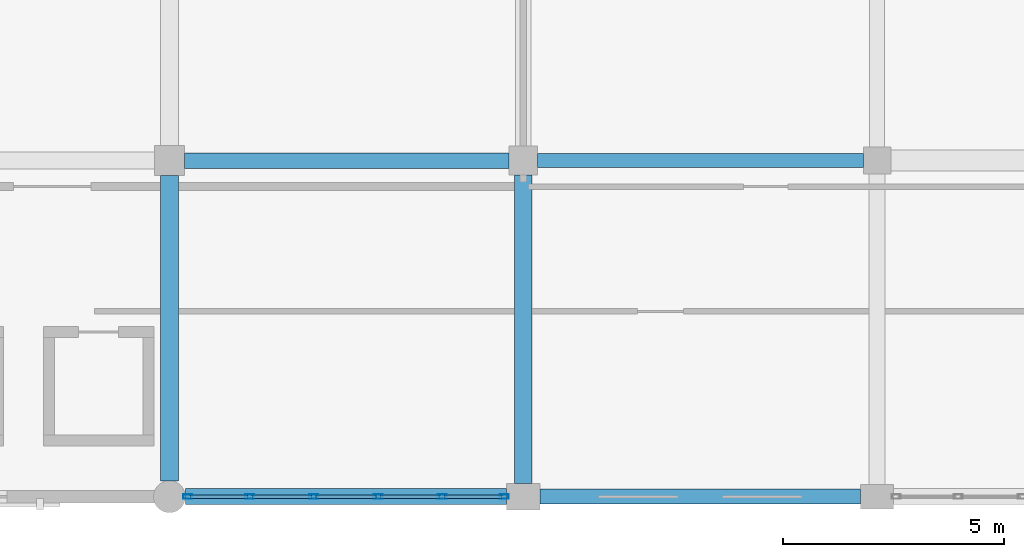
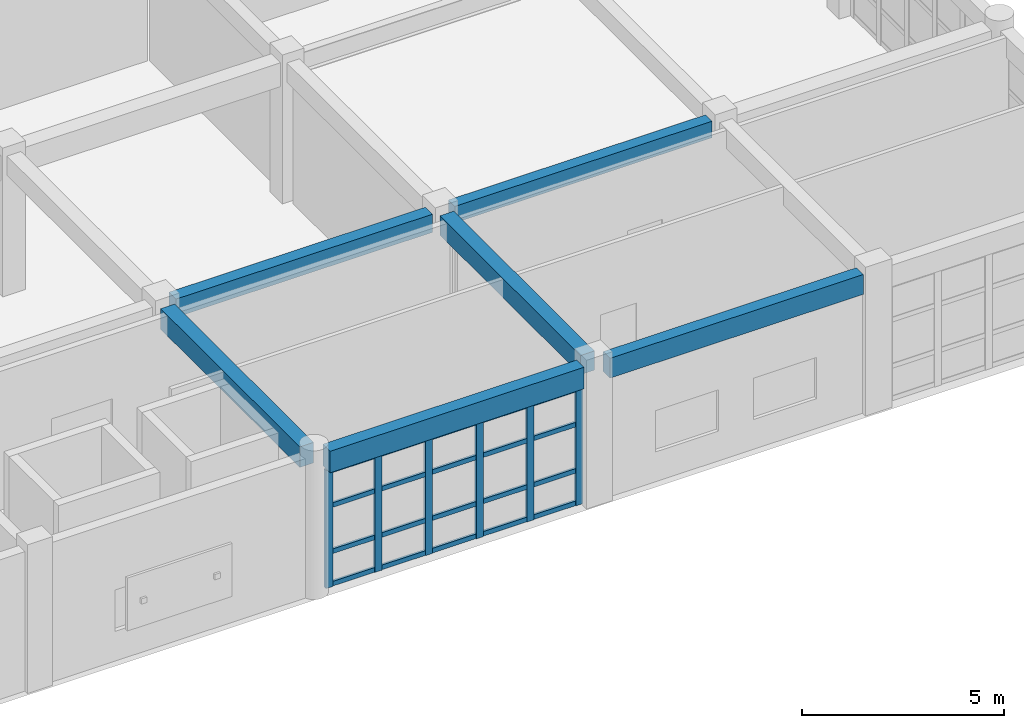
# One storey, part 83 of 160: 26 members, 6 beams, 1 element without a shape of its own.
"""IFC4 building model written with IfcOpenShell, lengths in metres."""

from ifc_helpers import new_model, si_unit, direction, frame, origin, origin_2d, place, context, subcontext, project, spatial, rectangle, hollow_rectangle, extrude, material, material_profile, profile_set, type_object, element, aggregate, save


model = new_model("IFC4")

# Units and contexts
model_context = context("Model", 3, precision=1e-05, world=origin(), true_north=direction((0.0, 1.0)))
body_context = subcontext(model_context, "Body", "Model", "MODEL_VIEW")
ifc_project = project(units=[si_unit("LENGTHUNIT", "METRE"), si_unit("AREAUNIT", "SQUARE_METRE"), si_unit("VOLUMEUNIT", "CUBIC_METRE"), si_unit("PLANEANGLEUNIT", "RADIAN"), si_unit("MASSUNIT", "GRAM", prefix="KILO")], contexts=[model_context])

# Site, building, storey
site_placement = place(None, origin())
site = spatial("IfcSite", under=ifc_project, at=site_placement, CompositionType="ELEMENT")
building_placement = place(site_placement, origin())
building = spatial("IfcBuilding", under=site, at=building_placement, Name="Kharva Crest Polytechnic", CompositionType="ELEMENT")
storey_placement = place(building_placement, frame((0.0, 0.0, 4.5)))
storey = spatial("IfcBuildingStorey", under=building, at=storey_placement, Name="L01", CompositionType="ELEMENT", Elevation=4.5)

# Beams
ifc_material_1 = material(Name="Concrete C35/45", Category="concrete")
ifc_material_profile_1 = material_profile(ifc_material_1, rectangle(XDim=0.320068359375, YDim=0.5, at=origin_2d()), Name="RECT 320 X 500")
ifc_profile_set_1 = profile_set([ifc_material_profile_1], Name="Concrete C35/45")
beam_type_1 = type_object("IfcBeamType", Name="BM-RC-320X500", PredefinedType="BEAM", material=ifc_profile_set_1)
beam_1_placement = place(storey_placement, frame((153.125, 7.60009765625, 3.969970703125), z_axis=(1.0, 0.0, 0.0), x_axis=(0.0, 1.0, 0.0)))
element("IfcBeam", 1, at=beam_1_placement, inside=storey, type_object=beam_type_1, Name="L01 Beam B/20-21", PredefinedType="BEAM", context=body_context, shape_type="SweptSolid", body=[
    extrude(rectangle(XDim=0.320068359375, YDim=0.5, at=origin_2d()), origin(), (0.0, 0.0, 1.0), 7.364990234375),
])
ifc_material_profile_2 = material_profile(ifc_material_1, rectangle(XDim=0.35009765625, YDim=0.550048828125, at=origin_2d()), Name="RECT 350 X 550")
ifc_profile_set_2 = profile_set([ifc_material_profile_2], Name="Concrete C35/45")
beam_type_2 = type_object("IfcBeamType", Name="BM-RC-350X550", PredefinedType="BEAM", material=ifc_profile_set_2)
beam_2_placement = place(storey_placement, frame((145.139892578125, 7.60009765625, 3.945068359375), z_axis=(1.0, 0.0, 0.0), x_axis=(0.0, 1.0, 0.0)))
element("IfcBeam", 2, at=beam_2_placement, inside=storey, type_object=beam_type_2, Name="L01 Beam B/19-20", PredefinedType="BEAM", context=body_context, shape_type="SweptSolid", body=[
    extrude(rectangle(XDim=0.35009765625, YDim=0.550048828125, at=origin_2d()), origin(), (0.0, 0.0, 1.0), 7.335205078125),
])
ifc_material_profile_3 = material_profile(ifc_material_1, rectangle(XDim=0.39990234375, YDim=0.580078125, at=origin_2d()), Name="RECT 400 X 580")
ifc_profile_set_3 = profile_set([ifc_material_profile_3], Name="Concrete C35/45")
beam_type_3 = type_object("IfcBeamType", Name="BM-RC-400X580", PredefinedType="BEAM", material=ifc_profile_set_3)
beam_3_placement = place(storey_placement, frame((152.800048828125, 0.300048828125, 3.929931640625), z_axis=(0.0, 1.0, 0.0), x_axis=(-1.0, 0.0, 0.0)))
element("IfcBeam", 3, at=beam_3_placement, inside=storey, type_object=beam_type_3, Name="L01 Girder 20/A-B", PredefinedType="BEAM", context=body_context, shape_type="SweptSolid", body=[
    extrude(rectangle(XDim=0.39990234375, YDim=0.580078125, at=origin_2d()), origin(), (0.0, 0.0, 1.0), 6.974853515625),
])
ifc_material_profile_4 = material_profile(ifc_material_1, rectangle(XDim=0.39990234375, YDim=0.6201171875, at=origin_2d()), Name="RECT 400 X 620")
ifc_profile_set_4 = profile_set([ifc_material_profile_4], Name="Concrete C35/45")
beam_type_4 = type_object("IfcBeamType", Name="BM-RC-400X620", PredefinedType="BEAM", material=ifc_profile_set_4)
beam_4_placement = place(storey_placement, frame((144.800048828125, 0.360107421875, 3.909912109375), z_axis=(0.0, 1.0, 0.0), x_axis=(-1.0, 0.0, 0.0)))
element("IfcBeam", 4, at=beam_4_placement, inside=storey, type_object=beam_type_4, Name="L01 Girder 19/A-B", PredefinedType="BEAM", context=body_context, shape_type="SweptSolid", body=[
    extrude(rectangle(XDim=0.39990234375, YDim=0.6201171875, at=origin_2d()), origin(), (0.0, 0.0, 1.0), 6.89990234375),
])

# Curtain wall, members
ifc_material_2 = material(Name="Tempered insulated glass", Category="glass")
curtain_wall_type = type_object("IfcCurtainWallType", Name="CW-SYS-REFECTORY", PredefinedType="USERDEFINED", material=ifc_material_2)
curtain_wall_placement = place(storey_placement, origin())
curtain_wall = element("IfcCurtainWall", 5, at=curtain_wall_placement, inside=storey, type_object=curtain_wall_type, Name="L01 Glazed Curtain Wall CW-045", ObjectType="CURTAIN WALL", PredefinedType="USERDEFINED")
ifc_material_3 = material(Name="Steel S355", Category="steel")
ifc_material_profile_5 = material_profile(ifc_material_3, hollow_rectangle(XDim=0.10009765625, YDim=0.199951171875, WallThickness=0.00634765625, at=origin_2d()), Name="RHS 200X100X6.3")
ifc_profile_set_5 = profile_set([ifc_material_profile_5], Name="Steel S355")
member_type_1 = type_object("IfcMemberType", Name="CWM-RHS200X100", PredefinedType="MULLION", material=ifc_profile_set_5)
member_1_placement = place(storey_placement, frame((145.215087890625, 0.0, 0.0), z_axis=(0.0, 0.0, 1.0), x_axis=(0.0, 1.0, 0.0)))
member_1 = element("IfcMember", 6, at=member_1_placement, type_object=member_type_1, Name="CW-045 mullion 1", PredefinedType="MULLION", context=body_context, shape_type="SweptSolid", body=[
    extrude(hollow_rectangle(XDim=0.10009765625, YDim=0.199951171875, WallThickness=0.00634765625, at=origin_2d()), origin(), (0.0, 0.0, 1.0), 3.570068359375),
])
member_2_placement = place(storey_placement, frame((146.615966796875, 0.0, 0.0), z_axis=(0.0, 0.0, 1.0), x_axis=(0.0, 1.0, 0.0)))
member_2 = element("IfcMember", 7, at=member_2_placement, type_object=member_type_1, Name="CW-045 mullion 2", PredefinedType="MULLION", context=body_context, shape_type="SweptSolid", body=[
    extrude(hollow_rectangle(XDim=0.10009765625, YDim=0.199951171875, WallThickness=0.00634765625, at=origin_2d()), origin(), (0.0, 0.0, 1.0), 3.570068359375),
])
member_3_placement = place(storey_placement, frame((148.06689453125, 0.0, 0.0), z_axis=(0.0, 0.0, 1.0), x_axis=(0.0, 1.0, 0.0)))
member_3 = element("IfcMember", 8, at=member_3_placement, type_object=member_type_1, Name="CW-045 mullion 3", PredefinedType="MULLION", context=body_context, shape_type="SweptSolid", body=[
    extrude(hollow_rectangle(XDim=0.10009765625, YDim=0.199951171875, WallThickness=0.00634765625, at=origin_2d()), origin(), (0.0, 0.0, 1.0), 3.570068359375),
])
member_4_placement = place(storey_placement, frame((149.51806640625, 0.0, 0.0), z_axis=(0.0, 0.0, 1.0), x_axis=(0.0, 1.0, 0.0)))
member_4 = element("IfcMember", 9, at=member_4_placement, type_object=member_type_1, Name="CW-045 mullion 4", PredefinedType="MULLION", context=body_context, shape_type="SweptSolid", body=[
    extrude(hollow_rectangle(XDim=0.10009765625, YDim=0.199951171875, WallThickness=0.00634765625, at=origin_2d()), origin(), (0.0, 0.0, 1.0), 3.570068359375),
])
member_5_placement = place(storey_placement, frame((150.968994140625, 0.0, 0.0), z_axis=(0.0, 0.0, 1.0), x_axis=(0.0, 1.0, 0.0)))
member_5 = element("IfcMember", 10, at=member_5_placement, type_object=member_type_1, Name="CW-045 mullion 5", PredefinedType="MULLION", context=body_context, shape_type="SweptSolid", body=[
    extrude(hollow_rectangle(XDim=0.10009765625, YDim=0.199951171875, WallThickness=0.00634765625, at=origin_2d()), origin(), (0.0, 0.0, 1.0), 3.570068359375),
])
member_6_placement = place(storey_placement, frame((152.3701171875, 0.0, 0.0), z_axis=(0.0, 0.0, 1.0), x_axis=(0.0, 1.0, 0.0)))
member_6 = element("IfcMember", 11, at=member_6_placement, type_object=member_type_1, Name="CW-045 mullion 6", PredefinedType="MULLION", context=body_context, shape_type="SweptSolid", body=[
    extrude(hollow_rectangle(XDim=0.10009765625, YDim=0.199951171875, WallThickness=0.00634765625, at=origin_2d()), origin(), (0.0, 0.0, 1.0), 3.570068359375),
])
ifc_material_profile_6 = material_profile(ifc_material_3, hollow_rectangle(XDim=0.070068359375, YDim=0.139892578125, WallThickness=0.00390625, at=origin_2d()), Name="RHS 140X70X4.0")
ifc_profile_set_6 = profile_set([ifc_material_profile_6], Name="Steel S355")
member_type_2 = type_object("IfcMemberType", Name="CWT-RHS140X70", PredefinedType="USERDEFINED", material=ifc_profile_set_6)
member_7_placement = place(storey_placement, frame((145.264892578125, 0.0, 0.070068359375), z_axis=(1.0, 0.0, 0.0), x_axis=(0.0, 1.0, 0.0)))
member_7 = element("IfcMember", 12, at=member_7_placement, type_object=member_type_2, Name="CW-045 transom 1.1", ObjectType="TRANSOM", PredefinedType="USERDEFINED", context=body_context, shape_type="SweptSolid", body=[
    extrude(hollow_rectangle(XDim=0.070068359375, YDim=0.139892578125, WallThickness=0.00390625, at=origin_2d()), origin(), (0.0, 0.0, 1.0), 1.301025390625),
])
member_8_placement = place(storey_placement, frame((145.264892578125, 0.0, 1.050048828125), z_axis=(1.0, 0.0, 0.0), x_axis=(0.0, 1.0, 0.0)))
member_8 = element("IfcMember", 13, at=member_8_placement, type_object=member_type_2, Name="CW-045 transom 1.2", ObjectType="TRANSOM", PredefinedType="USERDEFINED", context=body_context, shape_type="SweptSolid", body=[
    extrude(hollow_rectangle(XDim=0.070068359375, YDim=0.139892578125, WallThickness=0.00390625, at=origin_2d()), origin(), (0.0, 0.0, 1.0), 1.301025390625),
])
member_9_placement = place(storey_placement, frame((145.264892578125, 0.0, 2.449951171875), z_axis=(1.0, 0.0, 0.0), x_axis=(0.0, 1.0, 0.0)))
member_9 = element("IfcMember", 14, at=member_9_placement, type_object=member_type_2, Name="CW-045 transom 1.3", ObjectType="TRANSOM", PredefinedType="USERDEFINED", context=body_context, shape_type="SweptSolid", body=[
    extrude(hollow_rectangle(XDim=0.070068359375, YDim=0.139892578125, WallThickness=0.00390625, at=origin_2d()), origin(), (0.0, 0.0, 1.0), 1.301025390625),
])
member_10_placement = place(storey_placement, frame((145.264892578125, 0.0, 3.5), z_axis=(1.0, 0.0, 0.0), x_axis=(0.0, 1.0, 0.0)))
member_10 = element("IfcMember", 15, at=member_10_placement, type_object=member_type_2, Name="CW-045 transom 1.4", ObjectType="TRANSOM", PredefinedType="USERDEFINED", context=body_context, shape_type="SweptSolid", body=[
    extrude(hollow_rectangle(XDim=0.070068359375, YDim=0.139892578125, WallThickness=0.00390625, at=origin_2d()), origin(), (0.0, 0.0, 1.0), 1.301025390625),
])
member_11_placement = place(storey_placement, frame((146.666015625, 0.0, 0.070068359375), z_axis=(1.0, 0.0, 0.0), x_axis=(0.0, 1.0, 0.0)))
member_11 = element("IfcMember", 16, at=member_11_placement, type_object=member_type_2, Name="CW-045 transom 2.1", ObjectType="TRANSOM", PredefinedType="USERDEFINED", context=body_context, shape_type="SweptSolid", body=[
    extrude(hollow_rectangle(XDim=0.070068359375, YDim=0.139892578125, WallThickness=0.00390625, at=origin_2d()), origin(), (0.0, 0.0, 1.0), 1.35107421875),
])
member_12_placement = place(storey_placement, frame((146.666015625, 0.0, 1.050048828125), z_axis=(1.0, 0.0, 0.0), x_axis=(0.0, 1.0, 0.0)))
member_12 = element("IfcMember", 17, at=member_12_placement, type_object=member_type_2, Name="CW-045 transom 2.2", ObjectType="TRANSOM", PredefinedType="USERDEFINED", context=body_context, shape_type="SweptSolid", body=[
    extrude(hollow_rectangle(XDim=0.070068359375, YDim=0.139892578125, WallThickness=0.00390625, at=origin_2d()), origin(), (0.0, 0.0, 1.0), 1.35107421875),
])
member_13_placement = place(storey_placement, frame((146.666015625, 0.0, 2.449951171875), z_axis=(1.0, 0.0, 0.0), x_axis=(0.0, 1.0, 0.0)))
member_13 = element("IfcMember", 18, at=member_13_placement, type_object=member_type_2, Name="CW-045 transom 2.3", ObjectType="TRANSOM", PredefinedType="USERDEFINED", context=body_context, shape_type="SweptSolid", body=[
    extrude(hollow_rectangle(XDim=0.070068359375, YDim=0.139892578125, WallThickness=0.00390625, at=origin_2d()), origin(), (0.0, 0.0, 1.0), 1.35107421875),
])
member_14_placement = place(storey_placement, frame((146.666015625, 0.0, 3.5), z_axis=(1.0, 0.0, 0.0), x_axis=(0.0, 1.0, 0.0)))
member_14 = element("IfcMember", 19, at=member_14_placement, type_object=member_type_2, Name="CW-045 transom 2.4", ObjectType="TRANSOM", PredefinedType="USERDEFINED", context=body_context, shape_type="SweptSolid", body=[
    extrude(hollow_rectangle(XDim=0.070068359375, YDim=0.139892578125, WallThickness=0.00390625, at=origin_2d()), origin(), (0.0, 0.0, 1.0), 1.35107421875),
])
member_15_placement = place(storey_placement, frame((148.116943359375, 0.0, 0.070068359375), z_axis=(1.0, 0.0, 0.0), x_axis=(0.0, 1.0, 0.0)))
member_15 = element("IfcMember", 20, at=member_15_placement, type_object=member_type_2, Name="CW-045 transom 3.1", ObjectType="TRANSOM", PredefinedType="USERDEFINED", context=body_context, shape_type="SweptSolid", body=[
    extrude(hollow_rectangle(XDim=0.070068359375, YDim=0.139892578125, WallThickness=0.00390625, at=origin_2d()), origin(), (0.0, 0.0, 1.0), 1.35107421875),
])
member_16_placement = place(storey_placement, frame((148.116943359375, 0.0, 1.050048828125), z_axis=(1.0, 0.0, 0.0), x_axis=(0.0, 1.0, 0.0)))
member_16 = element("IfcMember", 21, at=member_16_placement, type_object=member_type_2, Name="CW-045 transom 3.2", ObjectType="TRANSOM", PredefinedType="USERDEFINED", context=body_context, shape_type="SweptSolid", body=[
    extrude(hollow_rectangle(XDim=0.070068359375, YDim=0.139892578125, WallThickness=0.00390625, at=origin_2d()), origin(), (0.0, 0.0, 1.0), 1.35107421875),
])
member_17_placement = place(storey_placement, frame((148.116943359375, 0.0, 2.449951171875), z_axis=(1.0, 0.0, 0.0), x_axis=(0.0, 1.0, 0.0)))
member_17 = element("IfcMember", 22, at=member_17_placement, type_object=member_type_2, Name="CW-045 transom 3.3", ObjectType="TRANSOM", PredefinedType="USERDEFINED", context=body_context, shape_type="SweptSolid", body=[
    extrude(hollow_rectangle(XDim=0.070068359375, YDim=0.139892578125, WallThickness=0.00390625, at=origin_2d()), origin(), (0.0, 0.0, 1.0), 1.35107421875),
])
member_18_placement = place(storey_placement, frame((148.116943359375, 0.0, 3.5), z_axis=(1.0, 0.0, 0.0), x_axis=(0.0, 1.0, 0.0)))
member_18 = element("IfcMember", 23, at=member_18_placement, type_object=member_type_2, Name="CW-045 transom 3.4", ObjectType="TRANSOM", PredefinedType="USERDEFINED", context=body_context, shape_type="SweptSolid", body=[
    extrude(hollow_rectangle(XDim=0.070068359375, YDim=0.139892578125, WallThickness=0.00390625, at=origin_2d()), origin(), (0.0, 0.0, 1.0), 1.35107421875),
])
member_19_placement = place(storey_placement, frame((149.568115234375, 0.0, 0.070068359375), z_axis=(1.0, 0.0, 0.0), x_axis=(0.0, 1.0, 0.0)))
member_19 = element("IfcMember", 24, at=member_19_placement, type_object=member_type_2, Name="CW-045 transom 4.1", ObjectType="TRANSOM", PredefinedType="USERDEFINED", context=body_context, shape_type="SweptSolid", body=[
    extrude(hollow_rectangle(XDim=0.070068359375, YDim=0.139892578125, WallThickness=0.00390625, at=origin_2d()), origin(), (0.0, 0.0, 1.0), 1.350830078125),
])
member_20_placement = place(storey_placement, frame((149.568115234375, 0.0, 1.050048828125), z_axis=(1.0, 0.0, 0.0), x_axis=(0.0, 1.0, 0.0)))
member_20 = element("IfcMember", 25, at=member_20_placement, type_object=member_type_2, Name="CW-045 transom 4.2", ObjectType="TRANSOM", PredefinedType="USERDEFINED", context=body_context, shape_type="SweptSolid", body=[
    extrude(hollow_rectangle(XDim=0.070068359375, YDim=0.139892578125, WallThickness=0.00390625, at=origin_2d()), origin(), (0.0, 0.0, 1.0), 1.350830078125),
])
member_21_placement = place(storey_placement, frame((149.568115234375, 0.0, 2.449951171875), z_axis=(1.0, 0.0, 0.0), x_axis=(0.0, 1.0, 0.0)))
member_21 = element("IfcMember", 26, at=member_21_placement, type_object=member_type_2, Name="CW-045 transom 4.3", ObjectType="TRANSOM", PredefinedType="USERDEFINED", context=body_context, shape_type="SweptSolid", body=[
    extrude(hollow_rectangle(XDim=0.070068359375, YDim=0.139892578125, WallThickness=0.00390625, at=origin_2d()), origin(), (0.0, 0.0, 1.0), 1.350830078125),
])
member_22_placement = place(storey_placement, frame((149.568115234375, 0.0, 3.5), z_axis=(1.0, 0.0, 0.0), x_axis=(0.0, 1.0, 0.0)))
member_22 = element("IfcMember", 27, at=member_22_placement, type_object=member_type_2, Name="CW-045 transom 4.4", ObjectType="TRANSOM", PredefinedType="USERDEFINED", context=body_context, shape_type="SweptSolid", body=[
    extrude(hollow_rectangle(XDim=0.070068359375, YDim=0.139892578125, WallThickness=0.00390625, at=origin_2d()), origin(), (0.0, 0.0, 1.0), 1.350830078125),
])
member_23_placement = place(storey_placement, frame((151.01904296875, 0.0, 0.070068359375), z_axis=(1.0, 0.0, 0.0), x_axis=(0.0, 1.0, 0.0)))
member_23 = element("IfcMember", 28, at=member_23_placement, type_object=member_type_2, Name="CW-045 transom 5.1", ObjectType="TRANSOM", PredefinedType="USERDEFINED", context=body_context, shape_type="SweptSolid", body=[
    extrude(hollow_rectangle(XDim=0.070068359375, YDim=0.139892578125, WallThickness=0.00390625, at=origin_2d()), origin(), (0.0, 0.0, 1.0), 1.301025390625),
])
member_24_placement = place(storey_placement, frame((151.01904296875, 0.0, 1.050048828125), z_axis=(1.0, 0.0, 0.0), x_axis=(0.0, 1.0, 0.0)))
member_24 = element("IfcMember", 29, at=member_24_placement, type_object=member_type_2, Name="CW-045 transom 5.2", ObjectType="TRANSOM", PredefinedType="USERDEFINED", context=body_context, shape_type="SweptSolid", body=[
    extrude(hollow_rectangle(XDim=0.070068359375, YDim=0.139892578125, WallThickness=0.00390625, at=origin_2d()), origin(), (0.0, 0.0, 1.0), 1.301025390625),
])
member_25_placement = place(storey_placement, frame((151.01904296875, 0.0, 2.449951171875), z_axis=(1.0, 0.0, 0.0), x_axis=(0.0, 1.0, 0.0)))
member_25 = element("IfcMember", 30, at=member_25_placement, type_object=member_type_2, Name="CW-045 transom 5.3", ObjectType="TRANSOM", PredefinedType="USERDEFINED", context=body_context, shape_type="SweptSolid", body=[
    extrude(hollow_rectangle(XDim=0.070068359375, YDim=0.139892578125, WallThickness=0.00390625, at=origin_2d()), origin(), (0.0, 0.0, 1.0), 1.301025390625),
])
member_26_placement = place(storey_placement, frame((151.01904296875, 0.0, 3.5), z_axis=(1.0, 0.0, 0.0), x_axis=(0.0, 1.0, 0.0)))
member_26 = element("IfcMember", 31, at=member_26_placement, type_object=member_type_2, Name="CW-045 transom 5.4", ObjectType="TRANSOM", PredefinedType="USERDEFINED", context=body_context, shape_type="SweptSolid", body=[
    extrude(hollow_rectangle(XDim=0.070068359375, YDim=0.139892578125, WallThickness=0.00390625, at=origin_2d()), origin(), (0.0, 0.0, 1.0), 1.301025390625),
])
aggregate(curtain_wall, [member_1, member_2, member_3, member_4, member_5, member_6, member_7, member_8, member_9, member_10, member_11, member_12, member_13, member_14, member_15, member_16, member_17, member_18, member_19, member_20, member_21, member_22, member_23, member_24, member_25, member_26])

# Beams
ifc_material_profile_7 = material_profile(ifc_material_1, rectangle(XDim=0.340087890625, YDim=0.60009765625, at=origin_2d()), Name="RECT 340 X 600")
ifc_profile_set_7 = profile_set([ifc_material_profile_7], Name="Concrete C35/45")
beam_type_5 = type_object("IfcBeamType", Name="SP-RC-340X600", PredefinedType="SPANDREL", material=ifc_profile_set_7)
beam_5_placement = place(storey_placement, frame((153.175048828125, 0.0, 3.919921875), z_axis=(1.0, 0.0, 0.0), x_axis=(0.0, 1.0, 0.0)))
element("IfcBeam", 32, at=beam_5_placement, inside=storey, type_object=beam_type_5, Name="L01 Beam A/20-21", PredefinedType="SPANDREL", context=body_context, shape_type="SweptSolid", body=[
    extrude(rectangle(XDim=0.340087890625, YDim=0.60009765625, at=origin_2d()), origin(), (0.0, 0.0, 1.0), 7.25),
])
ifc_material_profile_8 = material_profile(ifc_material_1, rectangle(XDim=0.360107421875, YDim=0.64990234375, at=origin_2d()), Name="RECT 360 X 650")
ifc_profile_set_8 = profile_set([ifc_material_profile_8], Name="Concrete C35/45")
beam_type_6 = type_object("IfcBeamType", Name="SP-RC-360X650", PredefinedType="SPANDREL", material=ifc_profile_set_8)
beam_6_placement = place(storey_placement, frame((145.159912109375, 0.0, 3.89501953125), z_axis=(1.0, 0.0, 0.0), x_axis=(0.0, 1.0, 0.0)))
element("IfcBeam", 33, at=beam_6_placement, inside=storey, type_object=beam_type_6, Name="L01 Beam A/19-20", PredefinedType="SPANDREL", context=body_context, shape_type="SweptSolid", body=[
    extrude(rectangle(XDim=0.360107421875, YDim=0.64990234375, at=origin_2d()), origin(), (0.0, 0.0, 1.0), 7.26513671875),
])

save(model, "model.ifc")
